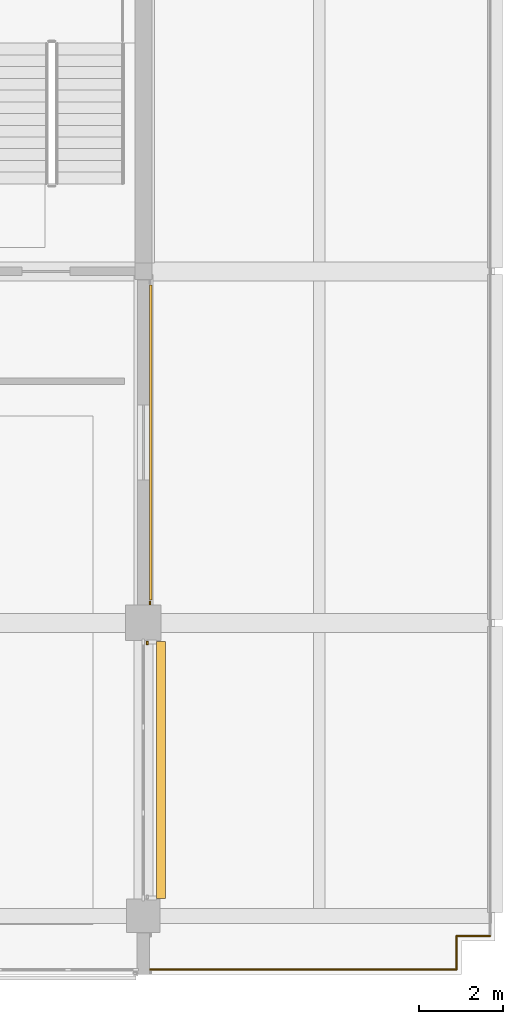
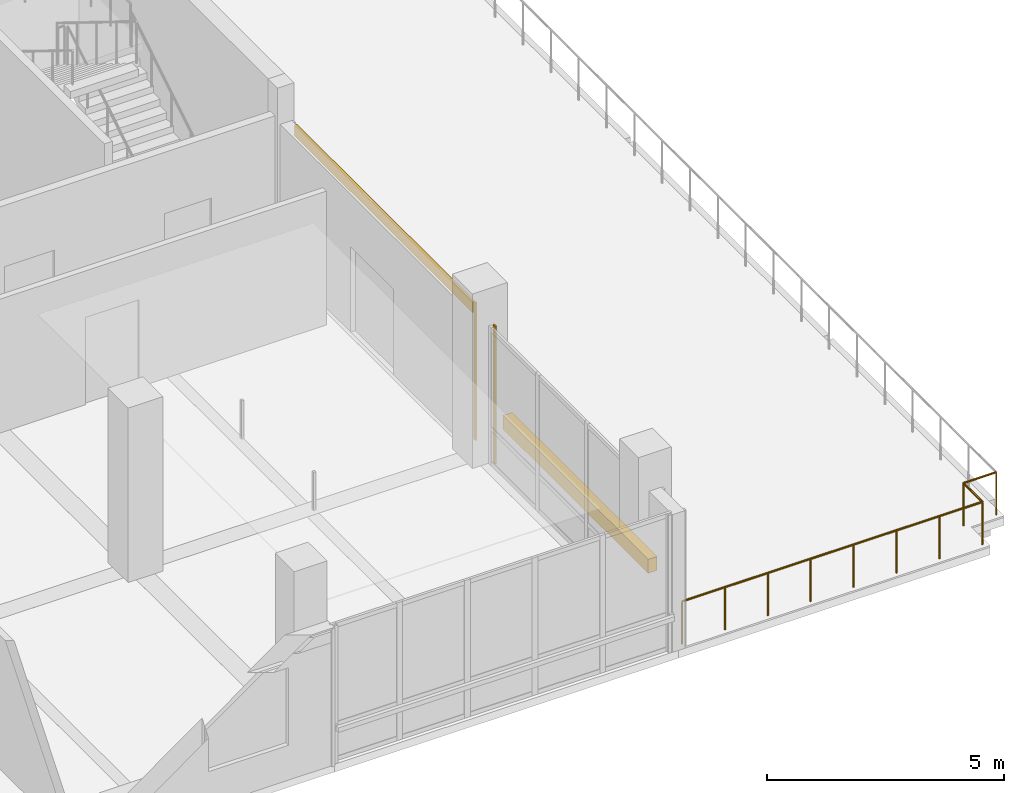
# One storey, part 30 of 36: 3 coverings, 1 railing, 1 shading device.
"""IFC4 building model written with IfcOpenShell, lengths in metres."""

from ifc_helpers import new_model, si_unit, direction, frame, origin, origin_2d, place, context, subcontext, project, spatial, rectangle, circle, extrude, material, layer, layer_set, type_object, element, save


model = new_model("IFC4")

# Units and contexts
model_context = context("Model", 3, precision=1e-05, world=origin(), true_north=direction((0.0, 1.0)))
body_context = subcontext(model_context, "Body", "Model", "MODEL_VIEW")
ifc_project = project(units=[si_unit("LENGTHUNIT", "METRE"), si_unit("AREAUNIT", "SQUARE_METRE"), si_unit("VOLUMEUNIT", "CUBIC_METRE"), si_unit("PLANEANGLEUNIT", "RADIAN"), si_unit("MASSUNIT", "GRAM", prefix="KILO")], contexts=[model_context])

# Site, building, storey
site_placement = place(None, origin())
site = spatial("IfcSite", under=ifc_project, at=site_placement, CompositionType="ELEMENT")
building_placement = place(site_placement, origin())
building = spatial("IfcBuilding", under=site, at=building_placement, Name="Telukmera Botanical Conservatory", CompositionType="ELEMENT")
storey_placement = place(building_placement, frame((0.0, 0.0, 33.0)))
storey = spatial("IfcBuildingStorey", under=building, at=storey_placement, Name="L07", CompositionType="ELEMENT", Elevation=33.0)

# Railing
ifc_material_1 = material(Name="Brushed stainless steel grade 316", Category="steel")
railing_type = type_object("IfcRailingType", Name="Exterior Terrace Safety Guardrail 1100", PredefinedType="GUARDRAIL", material=ifc_material_1)
railing_placement = place(storey_placement, frame((100.949951171875, 9.320068359375, 0.0400390625)))
element("IfcRailing", 1, at=railing_placement, inside=storey, type_object=railing_type, Name="Tower Sky Terrace Guardrail L07 S", PredefinedType="GUARDRAIL", context=body_context, shape_type="SweptSolid", body=[
    extrude(circle(Radius=0.02392578125, at=origin_2d()), frame((0.0, 0.0, 1.09619140625), z_axis=(1.0, 0.0, 0.0), x_axis=(0.0, 1.0, 0.0)), (0.0, 0.0, 1.0), 7.330078125),
    extrude(circle(Radius=0.02392578125, at=origin_2d()), frame((7.330078125, 0.0, 1.09619140625), z_axis=(0.0, 1.0, 0.0), x_axis=(-1.0, 0.0, 0.0)), (0.0, 0.0, 1.0), 0.800048828125),
    extrude(circle(Radius=0.02392578125, at=origin_2d()), frame((7.330078125, 0.800048828125, 1.09619140625), z_axis=(1.0, 0.0, 0.0), x_axis=(0.0, 1.0, 0.0)), (0.0, 0.0, 1.0), 0.800048828125),
    extrude(circle(Radius=0.02099609375, at=origin_2d()), origin(), (0.0, 0.0, 1.0), 1.072021484375),
    extrude(circle(Radius=0.02099609375, at=origin_2d()), frame((1.047119140625, 0.0, 0.0)), (0.0, 0.0, 1.0), 1.072021484375),
    extrude(circle(Radius=0.02099609375, at=origin_2d()), frame((2.09423828125, 0.0, 0.0)), (0.0, 0.0, 1.0), 1.072021484375),
    extrude(circle(Radius=0.02099609375, at=origin_2d()), frame((3.141357421875, 0.0, 0.0)), (0.0, 0.0, 1.0), 1.072021484375),
    extrude(circle(Radius=0.02099609375, at=origin_2d()), frame((4.188720703125, 0.0, 0.0)), (0.0, 0.0, 1.0), 1.072021484375),
    extrude(circle(Radius=0.02099609375, at=origin_2d()), frame((5.23583984375, 0.0, 0.0)), (0.0, 0.0, 1.0), 1.072021484375),
    extrude(circle(Radius=0.02099609375, at=origin_2d()), frame((6.282958984375, 0.0, 0.0)), (0.0, 0.0, 1.0), 1.072021484375),
    extrude(circle(Radius=0.02099609375, at=origin_2d()), frame((7.330078125, 0.0, 0.0)), (0.0, 0.0, 1.0), 1.072021484375),
    extrude(circle(Radius=0.02099609375, at=origin_2d()), frame((7.330078125, 0.800048828125, 0.0)), (0.0, 0.0, 1.0), 1.072021484375),
    extrude(circle(Radius=0.02099609375, at=origin_2d()), frame((8.130126953125, 0.800048828125, 0.0)), (0.0, 0.0, 1.0), 1.072021484375),
])

# Coverings
ifc_material_2 = material(Name="Granite-faced precast concrete C40/50", Category="masonry")
ifc_layer_1 = layer(ifc_material_2, 0.0400390625)
ifc_layer_set_1 = layer_set([ifc_layer_1], Name="Granite-faced precast concrete C40/50")
covering_type_1 = type_object("IfcCoveringType", Name="Granite Precast Column Pier Reveal Casing", PredefinedType="CLADDING", material=ifc_layer_set_1)
for number, where, z_axis, x_axis, name in (
    (2, (100.889892578125, 17.123046875, 0.0), (0.0, 0.0, 1.0), (0.0, 1.0, 0.0), "Granite Pier Reveal V4:L07:E1 R"),
    (3, (100.9599609375, 18.076904296875, 0.0), (0.0, 0.0, 1.0), (0.0, 1.0, 0.0), "Granite Pier Reveal V4:L07:E2 L"),
):
    element("IfcCovering", number, at=place(storey_placement, frame(where, z_axis=z_axis, x_axis=x_axis)), inside=storey, type_object=covering_type_1, Name=name, PredefinedType="CLADDING", context=body_context, shape_type="SweptSolid", body=[
        extrude(rectangle(XDim=0.080078125, YDim=0.0400390625, at=origin_2d()), origin(), (0.0, 0.0, 1.0), 3.550048828125),
    ])

# Shading device
ifc_material_3 = material(Name="Perforated terracotta-anodised aluminium 6063-T6", Category="masonry")
ifc_layer_2 = layer(ifc_material_3, 0.050048828125)
ifc_layer_set_2 = layer_set([ifc_layer_2], Name="Perforated terracotta-anodised aluminium 6063-T6")
shading_device_type = type_object("IfcShadingDeviceType", Name="Operable Monsoon Solar Louvre Shutter Bank", PredefinedType="SHUTTER", material=ifc_layer_set_2)
shading_device_placement = place(storey_placement, frame((101.219970703125, 14.08740234375, 0.77001953125), z_axis=(0.0, 0.0, 1.0), x_axis=(0.0, 1.0, 0.0)))
element("IfcShadingDevice", 4, at=shading_device_placement, inside=storey, type_object=shading_device_type, Name="Monsoon Shading SH01 V4:L07:E1", PredefinedType="SHUTTER", context=body_context, shape_type="SweptSolid", body=[
    extrude(rectangle(XDim=6.131103515625, YDim=0.219970703125, at=origin_2d()), origin(), (0.0, 0.0, 1.0), 0.360107421875),
])

# Covering
ifc_material_4 = material(Name="Terracotta-faced precast concrete C40/50", Category="masonry")
ifc_layer_3 = layer(ifc_material_4, 0.06005859375)
ifc_layer_set_3 = layer_set([ifc_layer_3], Name="Terracotta-faced precast concrete C40/50")
covering_type_2 = type_object("IfcCoveringType", Name="Polychrome Terracotta Facade Band Cladding", PredefinedType="CLADDING", material=ifc_layer_set_3)
covering_placement = place(storey_placement, frame((100.969970703125, 21.91259765625, 3.22998046875), z_axis=(0.0, 0.0, 1.0), x_axis=(0.0, 1.0, 0.0)))
element("IfcCovering", 5, at=covering_placement, inside=storey, type_object=covering_type_2, Name="Polychrome Terracotta Band V4:L07:E2", PredefinedType="CLADDING", context=body_context, shape_type="SweptSolid", body=[
    extrude(rectangle(XDim=7.531005859375, YDim=0.06005859375, at=origin_2d()), origin(), (0.0, 0.0, 1.0), 0.280029296875),
])

save(model, "model.ifc")
